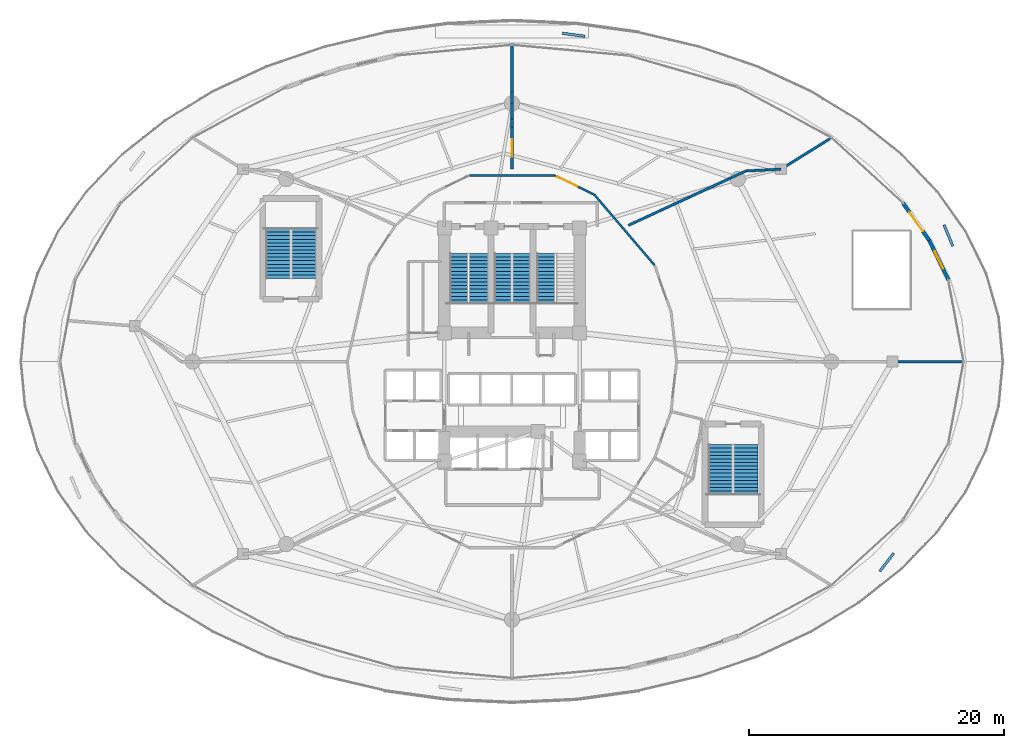
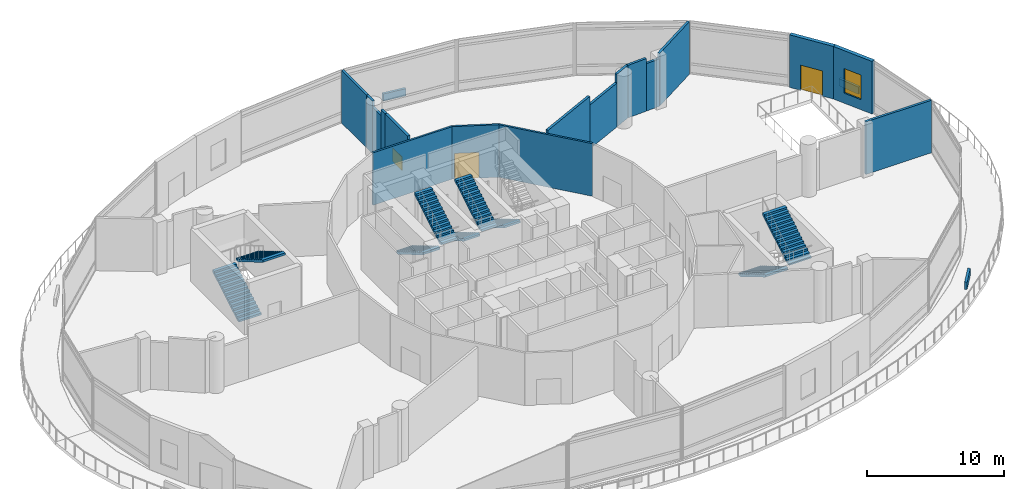
# One storey, part 29 of 36: 20 walls, 9 stair flights, 2 doors, 2 windows, 4 openings, 5 elements without a shape of their own.
"""IFC4 building model written with IfcOpenShell, lengths in metres."""

from ifc_helpers import new_model, si_unit, direction, frame, frame_2d, origin, place, context, subcontext, project, spatial, polyline, rectangle, outline, extrude, material, layer, layer_set, type_object, element, fill, aggregate, save


model = new_model("IFC4")

# Units and contexts
model_context = context("Model", 3, precision=1e-05, world=origin(), true_north=direction((0.0, 1.0)))
body_context = subcontext(model_context, "Body", "Model", "MODEL_VIEW")
ifc_project = project(units=[si_unit("LENGTHUNIT", "METRE"), si_unit("AREAUNIT", "SQUARE_METRE"), si_unit("VOLUMEUNIT", "CUBIC_METRE"), si_unit("PLANEANGLEUNIT", "RADIAN"), si_unit("MASSUNIT", "GRAM", prefix="KILO")], contexts=[model_context])

# Site, building, storey
site_placement = place(None, origin())
site = spatial("IfcSite", under=ifc_project, at=site_placement, CompositionType="ELEMENT")
building_placement = place(site_placement, origin())
building = spatial("IfcBuilding", under=site, at=building_placement, Name="Nuhasar Tower", CompositionType="ELEMENT")
storey_placement = place(building_placement, frame((0.0, 0.0, 11.0)))
storey = spatial("IfcBuildingStorey", under=building, at=storey_placement, Name="L02", CompositionType="ELEMENT", Elevation=11.0)

# Wall, opening, window
ifc_material_1 = material(Name="Concrete C45/55", Category="concrete")
ifc_layer_1 = layer(ifc_material_1, 0.239990234375)
ifc_material_2 = material(Name="Limestone Ashlar", Category="masonry")
ifc_layer_2 = layer(ifc_material_2, 0.06005859375)
ifc_layer_set_1 = layer_set([ifc_layer_1, ifc_layer_2], Name="Concrete C45/55")
wall_type_1 = type_object("IfcWallType", Name="WL-ARC-300", PredefinedType="STANDARD", material=ifc_layer_set_1)
wall_1_placement = place(storey_placement, frame((71.741943359375, 36.305908203125, 0.0), z_axis=(0.0, 0.0, 1.0), x_axis=(0.435837168614, -0.900025534335, 0.0)))
wall_1 = element("IfcWall", 1, at=wall_1_placement, inside=storey, type_object=wall_type_1, Name="L02 Limestone Arcade Spandrel Pier 02-1", PredefinedType="STANDARD", context=body_context, shape_type="SweptSolid", body=[
    extrude(rectangle(XDim=3.418701171875, YDim=0.300048828125, at=frame_2d((1.70947265625, 0.0))), origin(), (0.0, 0.0, 1.0), 4.699951171875),
])
opening_1_placement = place(wall_1_placement, frame((0.958984375, 0.0, 0.89990234375)))
opening_1 = element("IfcOpeningElement", 2, at=opening_1_placement, cuts=wall_1, Name="Opening WX-02", PredefinedType="OPENING", context=body_context, shape_type="SweptSolid", body=[
    extrude(rectangle(XDim=1.5, YDim=2.199951171875, at=frame_2d((0.75, 1.10009765625))), frame((0.0, 0.16015625, 0.0), z_axis=(0.0, -1.0, 0.0), x_axis=(1.0, 0.0, 0.0)), (0.0, 0.0, 1.0), 0.320068359375),
])
ifc_material_3 = material(Name="Glass Double Low-E", Category="glass")
window_type_1 = type_object("IfcWindowType", Name="WIN-ARC-1500", PartitioningType="DOUBLE_PANEL_VERTICAL", PredefinedType="WINDOW", material=ifc_material_3)
window_1_placement = place(opening_1_placement, origin())
window_1 = element("IfcWindow", 3, at=window_1_placement, inside=storey, type_object=window_type_1, Name="L02 Arcade Vision Window 02", OverallHeight=2.199951171875, OverallWidth=1.5, PartitioningType="DOUBLE_PANEL_VERTICAL", PredefinedType="WINDOW", context=body_context, shape_type="SweptSolid", body=[
    extrude(rectangle(XDim=1.5, YDim=2.199951171875, at=frame_2d((0.75, 1.10009765625))), frame((0.0, 0.030029296875, 0.0), z_axis=(0.0, -1.0, 0.0), x_axis=(1.0, 0.0, 0.0)), (0.0, 0.0, 1.0), 0.06005859375),
])
fill(opening_1, window_1)

# Wall, opening, door
wall_2_placement = place(storey_placement, frame((69.69189453125, 39.219970703125, 0.0), z_axis=(0.0, 0.0, 1.0), x_axis=(0.575383073495, -0.817884049689, 0.0)))
wall_2 = element("IfcWall", 4, at=wall_2_placement, inside=storey, type_object=wall_type_1, Name="L02 Limestone Arcade Spandrel Pier 02-2", PredefinedType="STANDARD", context=body_context, shape_type="SweptSolid", body=[
    extrude(rectangle(XDim=3.56298828125, YDim=0.300048828125, at=frame_2d((1.781494140625, 0.0))), origin(), (0.0, 0.0, 1.0), 4.699951171875),
])
opening_2_placement = place(wall_2_placement, frame((0.881103515625, 0.0, 0.0)))
opening_2 = element("IfcOpeningElement", 5, at=opening_2_placement, cuts=wall_2, Name="Opening DX-02", PredefinedType="OPENING", context=body_context, shape_type="SweptSolid", body=[
    extrude(rectangle(XDim=1.800048828125, YDim=2.25, at=frame_2d((0.89990234375, 1.125))), frame((0.0, 0.16015625, 0.0), z_axis=(0.0, -1.0, 0.0), x_axis=(1.0, 0.0, 0.0)), (0.0, 0.0, 1.0), 0.320068359375),
])
ifc_material_4 = material(Name="Aluminium 6063-T6", Category="aluminium")
door_type_1 = type_object("IfcDoorType", Name="DR-TERR-1800", OperationType="DOUBLE_DOOR_SINGLE_SWING", PredefinedType="DOOR", material=ifc_material_4)
door_1_placement = place(opening_2_placement, origin())
door_1 = element("IfcDoor", 6, at=door_1_placement, inside=storey, type_object=door_type_1, Name="L02 Bustan Terrace Door 02", OperationType="DOUBLE_DOOR_SINGLE_SWING", OverallHeight=2.25, OverallWidth=1.800048828125, PredefinedType="DOOR", context=body_context, shape_type="SweptSolid", body=[
    extrude(rectangle(XDim=1.800048828125, YDim=2.25, at=frame_2d((0.89990234375, 1.125))), frame((0.0, 0.02490234375, 0.0), z_axis=(0.0, -1.0, 0.0), x_axis=(1.0, 0.0, 0.0)), (0.0, 0.0, 1.0), 0.050048828125),
])
fill(opening_2, door_1)

# Wall
ifc_material_5 = material(Name="Gypsum Board", Category="gypsum")
ifc_layer_3 = layer(ifc_material_5, 0.159912109375)
ifc_layer_set_2 = layer_set([ifc_layer_3], Name="Gypsum Board")
wall_type_2 = type_object("IfcWallType", Name="WL-CORR-160", PredefinedType="PARTITIONING", material=ifc_layer_set_2)
wall_3_placement = place(storey_placement, frame((50.18896484375, 34.360107421875, 0.0), z_axis=(0.0, 0.0, 1.0), x_axis=(-0.649652680018, 0.760231145998, 0.0)))
element("IfcWall", 7, at=wall_3_placement, inside=storey, type_object=wall_type_2, Name="L02 Interior Partition CORR-04", PredefinedType="PARTITIONING", context=body_context, shape_type="SweptSolid", body=[
    extrude(rectangle(XDim=7.279296875, YDim=0.159912109375, at=frame_2d((3.6396484375, 0.0))), origin(), (0.0, 0.0, 1.0), 4.699951171875),
])

# Wall, opening, door
wall_4_placement = place(storey_placement, frame((42.343994140625, 41.405029296875, 0.0), z_axis=(0.0, 0.0, 1.0), x_axis=(0.899789784655, -0.436323668199, 0.0)))
wall_4 = element("IfcWall", 8, at=wall_4_placement, inside=storey, type_object=wall_type_2, Name="L02 Interior Partition CORR-08", PredefinedType="PARTITIONING", context=body_context, shape_type="SweptSolid", body=[
    extrude(rectangle(XDim=3.462890625, YDim=0.159912109375, at=frame_2d((1.7314453125, 0.0))), origin(), (0.0, 0.0, 1.0), 4.699951171875),
])
opening_3_placement = place(wall_4_placement, frame((0.199951171875, 0.0, 0.0)))
opening_3 = element("IfcOpeningElement", 9, at=opening_3_placement, cuts=wall_4, Name="Opening DB-02", PredefinedType="OPENING", context=body_context, shape_type="SweptSolid", body=[
    extrude(rectangle(XDim=1.800048828125, YDim=2.300048828125, at=frame_2d((0.89990234375, 1.14990234375))), frame((0.0, 0.08984375, 0.0), z_axis=(0.0, -1.0, 0.0), x_axis=(1.0, 0.0, 0.0)), (0.0, 0.0, 1.0), 0.179931640625),
])
door_type_2 = type_object("IfcDoorType", Name="DR-BALL-FD60-1800", OperationType="DOUBLE_DOOR_SINGLE_SWING", PredefinedType="DOOR", material=ifc_material_4)
door_2_placement = place(opening_3_placement, origin())
door_2 = element("IfcDoor", 10, at=door_2_placement, inside=storey, type_object=door_type_2, Name="L02 Majlis Conference Suite Door", OperationType="DOUBLE_DOOR_SINGLE_SWING", OverallHeight=2.300048828125, OverallWidth=1.800048828125, PredefinedType="DOOR", context=body_context, shape_type="SweptSolid", body=[
    extrude(rectangle(XDim=1.800048828125, YDim=2.300048828125, at=frame_2d((0.89990234375, 1.14990234375))), frame((0.0, 0.02490234375, 0.0), z_axis=(0.0, -1.0, 0.0), x_axis=(1.0, 0.0, 0.0)), (0.0, 0.0, 1.0), 0.050048828125),
])
fill(opening_3, door_2)

# Wall
wall_5_placement = place(storey_placement, frame((42.343994140625, 41.405029296875, 0.0), z_axis=(0.0, 0.0, 1.0), x_axis=(-1.0, 0.0, 0.0)))
element("IfcWall", 11, at=wall_5_placement, inside=storey, type_object=wall_type_2, Name="L02 Interior Partition CORR-10", PredefinedType="PARTITIONING", context=body_context, shape_type="SweptSolid", body=[
    extrude(rectangle(XDim=6.68798828125, YDim=0.159912109375, at=frame_2d((3.343994140625, 0.0))), origin(), (0.0, 0.0, 1.0), 4.699951171875),
])

# Wall, opening, window
ifc_layer_4 = layer(ifc_material_1, 0.199951171875)
ifc_layer_set_3 = layer_set([ifc_layer_4], Name="Concrete C45/55")
wall_type_3 = type_object("IfcWallType", Name="WL-LOBBY-200", PredefinedType="SOLIDWALL", material=ifc_layer_set_3)
wall_6_placement = place(storey_placement, frame((39.0, 41.919921875, 0.0), z_axis=(0.0, 0.0, 1.0), x_axis=(0.0, 1.0, 0.0)))
wall_6 = element("IfcWall", 12, at=wall_6_placement, inside=storey, type_object=wall_type_3, Name="L02 Interior Partition PWIN-12", PredefinedType="SOLIDWALL", context=body_context, shape_type="SweptSolid", body=[
    extrude(rectangle(XDim=3.280029296875, YDim=0.199951171875, at=frame_2d((1.64013671875, 0.0))), origin(), (0.0, 0.0, 1.0), 4.699951171875),
])
opening_4_placement = place(wall_6_placement, frame((0.93994140625, 0.0, 1.0)))
opening_4 = element("IfcOpeningElement", 13, at=opening_4_placement, cuts=wall_6, Name="Opening WI-01", PredefinedType="OPENING", context=body_context, shape_type="SweptSolid", body=[
    extrude(rectangle(XDim=1.39990234375, YDim=1.199951171875, at=frame_2d((0.699951171875, 0.60009765625))), frame((0.0, 0.10986328125, 0.0), z_axis=(0.0, -1.0, 0.0), x_axis=(1.0, 0.0, 0.0)), (0.0, 0.0, 1.0), 0.219970703125),
])
ifc_material_6 = material(Name="Glass Laminated Acoustic", Category="glass")
window_type_2 = type_object("IfcWindowType", Name="WIN-INT-1400", PartitioningType="SINGLE_PANEL", PredefinedType="WINDOW", material=ifc_material_6)
window_2_placement = place(opening_4_placement, origin())
window_2 = element("IfcWindow", 14, at=window_2_placement, inside=storey, type_object=window_type_2, Name="L02 Interior Borrowed-Light Window PWIN-12", OverallHeight=1.199951171875, OverallWidth=1.39990234375, PartitioningType="SINGLE_PANEL", PredefinedType="WINDOW", context=body_context, shape_type="SweptSolid", body=[
    extrude(rectangle(XDim=1.39990234375, YDim=1.199951171875, at=frame_2d((0.699951171875, 0.60009765625))), frame((0.0, 0.030029296875, 0.0), z_axis=(0.0, -1.0, 0.0), x_axis=(1.0, 0.0, 0.0)), (0.0, 0.0, 1.0), 0.06005859375),
])
fill(opening_4, window_2)

# Walls
wall_7_placement = place(storey_placement, frame((39.0, 45.199951171875, 0.0), z_axis=(0.0, 0.0, 1.0), x_axis=(0.0, 1.0, 0.0)))
element("IfcWall", 15, at=wall_7_placement, inside=storey, type_object=wall_type_3, Name="L02 Interior Partition PRAD-12-S1", PredefinedType="SOLIDWALL", context=body_context, shape_type="SweptSolid", body=[
    extrude(rectangle(XDim=0.633056640625, YDim=0.199951171875, at=frame_2d((0.31640625, 0.0))), origin(), (0.0, 0.0, 1.0), 4.699951171875),
])
wall_8_placement = place(storey_placement, frame((39.0, 45.8330078125, 0.0), z_axis=(0.0, 0.0, 1.0), x_axis=(0.0, 1.0, 0.0)))
element("IfcWall", 16, at=wall_8_placement, inside=storey, type_object=wall_type_3, Name="L02 Interior Partition PRAD-12-S1", PredefinedType="SOLIDWALL", context=body_context, shape_type="SweptSolid", body=[
    extrude(rectangle(XDim=1.23388671875, YDim=0.199951171875, at=frame_2d((0.616943359375, 0.0))), origin(), (0.0, 0.0, 1.0), 4.1650390625),
])
wall_9_placement = place(storey_placement, frame((39.0, 47.06689453125, 0.0), z_axis=(0.0, 0.0, 1.0), x_axis=(0.0, 1.0, 0.0)))
element("IfcWall", 17, at=wall_9_placement, inside=storey, type_object=wall_type_3, Name="L02 Interior Partition PRAD-12-S1", PredefinedType="SOLIDWALL", context=body_context, shape_type="SweptSolid", body=[
    extrude(rectangle(XDim=0.883056640625, YDim=0.199951171875, at=frame_2d((0.44140625, 0.0))), origin(), (0.0, 0.0, 1.0), 4.699951171875),
])
wall_10_placement = place(storey_placement, frame((39.0, 47.949951171875, 0.0), z_axis=(0.0, 0.0, 1.0), x_axis=(0.0, 1.0, 0.0)))
element("IfcWall", 18, at=wall_10_placement, inside=storey, type_object=wall_type_3, Name="L02 Interior Partition PRAD-12-S2", PredefinedType="SOLIDWALL", context=body_context, shape_type="SweptSolid", body=[
    extrude(rectangle(XDim=3.655029296875, YDim=0.199951171875, at=frame_2d((1.82763671875, 0.0))), origin(), (0.0, 0.0, 1.0), 4.699951171875),
])
ifc_layer_5 = layer(ifc_material_1, 0.199951171875)
ifc_layer_set_4 = layer_set([ifc_layer_5], Name="Concrete C45/55")
wall_type_4 = type_object("IfcWallType", Name="WL-PLANTER-200", PredefinedType="ELEMENTEDWALL", material=ifc_layer_set_4)
wall_11_placement = place(storey_placement, frame((72.89501953125, 37.528076171875, 0.0), z_axis=(0.0, 0.0, 1.0), x_axis=(0.382263927846, -0.924053185411, 0.0)))
element("IfcWall", 19, at=wall_11_placement, inside=storey, type_object=wall_type_4, Name="L02 Bustan Garden Planter Curb 01", PredefinedType="ELEMENTEDWALL", context=body_context, shape_type="SweptSolid", body=[
    extrude(rectangle(XDim=1.7998046875, YDim=0.199951171875, at=frame_2d((0.89990234375, 0.0))), origin(), (0.0, 0.0, 1.0), 0.64990234375),
])
wall_12_placement = place(storey_placement, frame((42.945068359375, 52.555908203125, 0.0), z_axis=(0.0, 0.0, 1.0), x_axis=(0.99145383396, -0.130458020554, 0.0)))
element("IfcWall", 20, at=wall_12_placement, inside=storey, type_object=wall_type_4, Name="L02 Bustan Garden Planter Curb 02", PredefinedType="ELEMENTEDWALL", context=body_context, shape_type="SweptSolid", body=[
    extrude(rectangle(XDim=1.80029296875, YDim=0.199951171875, at=frame_2d((0.900146484375, 0.0))), origin(), (0.0, 0.0, 1.0), 0.64990234375),
])
wall_13_placement = place(storey_placement, frame((68.949951171875, 11.77099609375, 0.0), z_axis=(0.0, 0.0, 1.0), x_axis=(-0.608838635348, -0.793294091814, 0.0)))
element("IfcWall", 21, at=wall_13_placement, inside=storey, type_object=wall_type_4, Name="L02 Bustan Garden Planter Curb 06", PredefinedType="ELEMENTEDWALL", context=body_context, shape_type="SweptSolid", body=[
    extrude(rectangle(XDim=1.800048828125, YDim=0.199951171875, at=frame_2d((0.89990234375, 0.0))), origin(), (0.0, 0.0, 1.0), 0.64990234375),
])
ifc_material_7 = material(Name="Concrete C40/50 precast", Category="concrete")
ifc_layer_6 = layer(ifc_material_7, 0.199951171875)
ifc_layer_set_5 = layer_set([ifc_layer_6], Name="Concrete C40/50 precast")
wall_type_5 = type_object("IfcWallType", Name="WL-UNIT-200", PredefinedType="PARTITIONING", material=ifc_layer_set_5)
wall_14_placement = place(storey_placement, frame((68.85009765625, 26.800048828125, 0.0), z_axis=(0.0, 0.0, 1.0), x_axis=(1.0, 0.0, 0.0)))
element("IfcWall", 22, at=wall_14_placement, inside=storey, type_object=wall_type_5, Name="L02 Interior Partition PRAD-00-S4", PredefinedType="PARTITIONING", context=body_context, shape_type="SweptSolid", body=[
    extrude(rectangle(XDim=5.554931640625, YDim=0.199951171875, at=frame_2d((2.77734375, 0.0))), origin(), (0.0, 0.0, 1.0), 4.699951171875),
])
wall_15_placement = place(storey_placement, frame((48.135986328125, 37.490966796875, 0.0), z_axis=(0.0, 0.0, 1.0), x_axis=(0.907524785669, 0.419998527851, 0.0)))
element("IfcWall", 23, at=wall_15_placement, inside=storey, type_object=wall_type_5, Name="L02 Interior Partition PRAD-06-S1", PredefinedType="PARTITIONING", context=body_context, shape_type="SweptSolid", body=[
    extrude(rectangle(XDim=5.30029296875, YDim=0.199951171875, at=frame_2d((2.650146484375, 0.0))), origin(), (0.0, 0.0, 1.0), 4.699951171875),
])
wall_16_placement = place(storey_placement, frame((52.946044921875, 39.717041015625, 0.0), z_axis=(0.0, 0.0, 1.0), x_axis=(0.90747190463, 0.420112773321, 0.0)))
element("IfcWall", 24, at=wall_16_placement, inside=storey, type_object=wall_type_5, Name="L02 Interior Partition PRAD-06-S1", PredefinedType="PARTITIONING", context=body_context, shape_type="SweptSolid", body=[
    extrude(rectangle(XDim=3.448974609375, YDim=0.199951171875, at=frame_2d((1.724609375, 0.0))), origin(), (0.0, 0.0, 1.0), 3.919921875),
])
wall_17_placement = place(storey_placement, frame((56.075927734375, 41.166015625, 0.0), z_axis=(0.0, 0.0, 1.0), x_axis=(0.907622896373, 0.419786467124, 0.0)))
element("IfcWall", 25, at=wall_17_placement, inside=storey, type_object=wall_type_5, Name="L02 Interior Partition PRAD-06-S1", PredefinedType="PARTITIONING", context=body_context, shape_type="SweptSolid", body=[
    extrude(rectangle(XDim=1.40283203125, YDim=0.199951171875, at=frame_2d((0.701416015625, 0.0))), origin(), (0.0, 0.0, 1.0), 4.699951171875),
])
wall_18_placement = place(storey_placement, frame((57.34912109375, 41.7548828125, 0.0), z_axis=(0.0, 0.0, 1.0), x_axis=(0.998685128887, 0.051264152576, 0.0)))
element("IfcWall", 26, at=wall_18_placement, inside=storey, type_object=wall_type_5, Name="L02 Interior Partition PRAD-06-S2", PredefinedType="PARTITIONING", context=body_context, shape_type="SweptSolid", body=[
    extrude(rectangle(XDim=1.64306640625, YDim=0.199951171875, at=frame_2d((0.821533203125, 0.0))), origin(), (0.0, 0.0, 1.0), 4.699951171875),
])
wall_19_placement = place(storey_placement, frame((58.989990234375, 41.839111328125, 0.0), z_axis=(0.0, 0.0, 1.0), x_axis=(0.998660904733, 0.051733909163, 0.0)))
element("IfcWall", 27, at=wall_19_placement, inside=storey, type_object=wall_type_5, Name="L02 Interior Partition PRAD-06-S2", PredefinedType="PARTITIONING", context=body_context, shape_type="SweptSolid", body=[
    extrude(rectangle(XDim=1.118408203125, YDim=0.199951171875, at=frame_2d((0.55908203125, 0.0))), origin(), (0.0, 0.0, 1.0), 4.239990234375),
])
wall_20_placement = place(storey_placement, frame((60.10693359375, 41.89697265625, 0.0), z_axis=(0.0, 0.0, 1.0), x_axis=(0.849149708827, 0.528152224267, 0.0)))
element("IfcWall", 28, at=wall_20_placement, inside=storey, type_object=wall_type_5, Name="L02 Interior Partition PRAD-06-S3", PredefinedType="PARTITIONING", context=body_context, shape_type="SweptSolid", body=[
    extrude(rectangle(XDim=4.625732421875, YDim=0.199951171875, at=frame_2d((2.31298828125, 0.0))), origin(), (0.0, 0.0, 1.0), 4.699951171875),
])

# Stair, stair flights
stair_type_1 = type_object("IfcStairType", Name="STR-ST-01-2F-30R-1667", PredefinedType="HALF_TURN_STAIR", material=ifc_material_1)
stair_1_placement = place(storey_placement, origin())
stair_1 = element("IfcStair", 29, at=stair_1_placement, inside=storey, type_object=stair_type_1, Name="L02 Exit Stair ST-01", PredefinedType="HALF_TURN_STAIR")
stair_flight_type_1 = type_object("IfcStairFlightType", Name="SFL-ST-01-15R-1667", PredefinedType="STRAIGHT", material=ifc_material_1)
stair_flight_1_placement = place(storey_placement, frame((34.830078125, 35.284912109375, 0.0), z_axis=(0.0, 0.0, 1.0), x_axis=(0.0, -1.0, 0.0)))
stair_flight_1 = element("IfcStairFlight", 30, at=stair_flight_1_placement, type_object=stair_flight_type_1, Name="ST-01 flight 1", NumberOfRisers=15, NumberOfTreads=14, PredefinedType="STRAIGHT", RiserHeight=0.166667, TreadLength=0.28, context=body_context, shape_type="SweptSolid", body=[
    extrude(outline(polyline([(0.0, 0.0), (0.0, 0.166748046875), (0.280029296875, 0.166748046875), (0.280029296875, 0.333251953125), (0.56005859375, 0.333251953125), (0.56005859375, 0.5), (0.840087890625, 0.5), (0.840087890625, 0.666748046875), (1.1201171875, 0.666748046875), (1.1201171875, 0.833251953125), (1.39990234375, 0.833251953125), (1.39990234375, 1.0), (1.679931640625, 1.0), (1.679931640625, 1.166748046875), (1.9599609375, 1.166748046875), (1.9599609375, 1.333251953125), (2.239990234375, 1.333251953125), (2.239990234375, 1.5), (2.52001953125, 1.5), (2.52001953125, 1.666748046875), (2.800048828125, 1.666748046875), (2.800048828125, 1.833251953125), (3.080078125, 1.833251953125), (3.080078125, 2.0), (3.360107421875, 2.0), (3.360107421875, 2.166748046875), (3.639892578125, 2.166748046875), (3.639892578125, 2.333251953125), (3.919921875, 2.333251953125), (3.919921875, 2.5), (3.919921875, 2.147216796875), (0.312744140625, 0.0), (0.0, 0.0)])), frame((0.0, 0.7099609375, 0.0), z_axis=(0.0, -1.0, 0.0), x_axis=(1.0, 0.0, 0.0)), (0.0, 0.0, 1.0), 1.419921875),
])
stair_flight_2_placement = place(storey_placement, frame((36.35009765625, 31.364990234375, 2.5), z_axis=(0.0, 0.0, 1.0), x_axis=(0.0, 1.0, 0.0)))
stair_flight_2 = element("IfcStairFlight", 31, at=stair_flight_2_placement, type_object=stair_flight_type_1, Name="ST-01 flight 2", NumberOfRisers=15, NumberOfTreads=14, PredefinedType="STRAIGHT", RiserHeight=0.166667, TreadLength=0.28, context=body_context, shape_type="SweptSolid", body=[
    extrude(outline(polyline([(0.0, 0.0), (0.0, 0.166748046875), (0.280029296875, 0.166748046875), (0.280029296875, 0.333251953125), (0.56005859375, 0.333251953125), (0.56005859375, 0.5), (0.840087890625, 0.5), (0.840087890625, 0.666748046875), (1.1201171875, 0.666748046875), (1.1201171875, 0.833251953125), (1.39990234375, 0.833251953125), (1.39990234375, 1.0), (1.679931640625, 1.0), (1.679931640625, 1.166748046875), (1.9599609375, 1.166748046875), (1.9599609375, 1.333251953125), (2.239990234375, 1.333251953125), (2.239990234375, 1.5), (2.52001953125, 1.5), (2.52001953125, 1.666748046875), (2.800048828125, 1.666748046875), (2.800048828125, 1.833251953125), (3.080078125, 1.833251953125), (3.080078125, 2.0), (3.360107421875, 2.0), (3.360107421875, 2.166748046875), (3.639892578125, 2.166748046875), (3.639892578125, 2.333251953125), (3.919921875, 2.333251953125), (3.919921875, 2.5), (3.919921875, 2.147216796875), (0.312744140625, 0.0), (0.0, 0.0)])), frame((0.0, 0.7099609375, 0.0), z_axis=(0.0, -1.0, 0.0), x_axis=(1.0, 0.0, 0.0)), (0.0, 0.0, 1.0), 1.419921875),
])
aggregate(stair_1, [stair_flight_1, stair_flight_2])

# Stair, stair flight
stair_type_2 = type_object("IfcStairType", Name="STR-ST-02-2F-30R-1667", PredefinedType="HALF_TURN_STAIR", material=ifc_material_1)
stair_2_placement = place(storey_placement, origin())
stair_2 = element("IfcStair", 32, at=stair_2_placement, inside=storey, type_object=stair_type_2, Name="L02 Exit Stair ST-02", PredefinedType="HALF_TURN_STAIR")
stair_flight_type_2 = type_object("IfcStairFlightType", Name="SFL-ST-02-15R-1667", PredefinedType="STRAIGHT", material=ifc_material_1)
stair_flight_3_placement = place(storey_placement, frame((41.64990234375, 35.284912109375, 0.0), z_axis=(0.0, 0.0, 1.0), x_axis=(0.0, -1.0, 0.0)))
stair_flight_3 = element("IfcStairFlight", 33, at=stair_flight_3_placement, type_object=stair_flight_type_2, Name="ST-02 flight 1", NumberOfRisers=15, NumberOfTreads=14, PredefinedType="STRAIGHT", RiserHeight=0.166667, TreadLength=0.28, context=body_context, shape_type="SweptSolid", body=[
    extrude(outline(polyline([(0.0, 0.0), (0.0, 0.166748046875), (0.280029296875, 0.166748046875), (0.280029296875, 0.333251953125), (0.56005859375, 0.333251953125), (0.56005859375, 0.5), (0.840087890625, 0.5), (0.840087890625, 0.666748046875), (1.1201171875, 0.666748046875), (1.1201171875, 0.833251953125), (1.39990234375, 0.833251953125), (1.39990234375, 1.0), (1.679931640625, 1.0), (1.679931640625, 1.166748046875), (1.9599609375, 1.166748046875), (1.9599609375, 1.333251953125), (2.239990234375, 1.333251953125), (2.239990234375, 1.5), (2.52001953125, 1.5), (2.52001953125, 1.666748046875), (2.800048828125, 1.666748046875), (2.800048828125, 1.833251953125), (3.080078125, 1.833251953125), (3.080078125, 2.0), (3.360107421875, 2.0), (3.360107421875, 2.166748046875), (3.639892578125, 2.166748046875), (3.639892578125, 2.333251953125), (3.919921875, 2.333251953125), (3.919921875, 2.5), (3.919921875, 2.147216796875), (0.312744140625, 0.0), (0.0, 0.0)])), frame((0.0, 0.7099609375, 0.0), z_axis=(0.0, -1.0, 0.0), x_axis=(1.0, 0.0, 0.0)), (0.0, 0.0, 1.0), 1.419921875),
])
aggregate(stair_2, [stair_flight_3])

# Stair, stair flights
stair_type_3 = type_object("IfcStairType", Name="STR-ST-03-2F-30R-1667", PredefinedType="HALF_TURN_STAIR", material=ifc_material_1)
stair_3_placement = place(storey_placement, origin())
stair_3 = element("IfcStair", 34, at=stair_3_placement, inside=storey, type_object=stair_type_3, Name="L02 Exit Stair ST-03", PredefinedType="HALF_TURN_STAIR")
stair_flight_type_3 = type_object("IfcStairFlightType", Name="SFL-ST-03-15R-1667", PredefinedType="STRAIGHT", material=ifc_material_1)
stair_flight_4_placement = place(storey_placement, frame((38.280029296875, 35.284912109375, 0.0), z_axis=(0.0, 0.0, 1.0), x_axis=(0.0, -1.0, 0.0)))
stair_flight_4 = element("IfcStairFlight", 35, at=stair_flight_4_placement, type_object=stair_flight_type_3, Name="ST-03 flight 1", NumberOfRisers=15, NumberOfTreads=14, PredefinedType="STRAIGHT", RiserHeight=0.166667, TreadLength=0.28, context=body_context, shape_type="SweptSolid", body=[
    extrude(outline(polyline([(0.0, 0.0), (0.0, 0.166748046875), (0.280029296875, 0.166748046875), (0.280029296875, 0.333251953125), (0.56005859375, 0.333251953125), (0.56005859375, 0.5), (0.840087890625, 0.5), (0.840087890625, 0.666748046875), (1.1201171875, 0.666748046875), (1.1201171875, 0.833251953125), (1.39990234375, 0.833251953125), (1.39990234375, 1.0), (1.679931640625, 1.0), (1.679931640625, 1.166748046875), (1.9599609375, 1.166748046875), (1.9599609375, 1.333251953125), (2.239990234375, 1.333251953125), (2.239990234375, 1.5), (2.52001953125, 1.5), (2.52001953125, 1.666748046875), (2.800048828125, 1.666748046875), (2.800048828125, 1.833251953125), (3.080078125, 1.833251953125), (3.080078125, 2.0), (3.360107421875, 2.0), (3.360107421875, 2.166748046875), (3.639892578125, 2.166748046875), (3.639892578125, 2.333251953125), (3.919921875, 2.333251953125), (3.919921875, 2.5), (3.919921875, 2.147216796875), (0.312744140625, 0.0), (0.0, 0.0)])), frame((0.0, 0.669921875, 0.0), z_axis=(0.0, -1.0, 0.0), x_axis=(1.0, 0.0, 0.0)), (0.0, 0.0, 1.0), 1.340087890625),
])
stair_flight_5_placement = place(storey_placement, frame((39.719970703125, 31.364990234375, 2.5), z_axis=(0.0, 0.0, 1.0), x_axis=(0.0, 1.0, 0.0)))
stair_flight_5 = element("IfcStairFlight", 36, at=stair_flight_5_placement, type_object=stair_flight_type_3, Name="ST-03 flight 2", NumberOfRisers=15, NumberOfTreads=14, PredefinedType="STRAIGHT", RiserHeight=0.166667, TreadLength=0.28, context=body_context, shape_type="SweptSolid", body=[
    extrude(outline(polyline([(0.0, 0.0), (0.0, 0.166748046875), (0.280029296875, 0.166748046875), (0.280029296875, 0.333251953125), (0.56005859375, 0.333251953125), (0.56005859375, 0.5), (0.840087890625, 0.5), (0.840087890625, 0.666748046875), (1.1201171875, 0.666748046875), (1.1201171875, 0.833251953125), (1.39990234375, 0.833251953125), (1.39990234375, 1.0), (1.679931640625, 1.0), (1.679931640625, 1.166748046875), (1.9599609375, 1.166748046875), (1.9599609375, 1.333251953125), (2.239990234375, 1.333251953125), (2.239990234375, 1.5), (2.52001953125, 1.5), (2.52001953125, 1.666748046875), (2.800048828125, 1.666748046875), (2.800048828125, 1.833251953125), (3.080078125, 1.833251953125), (3.080078125, 2.0), (3.360107421875, 2.0), (3.360107421875, 2.166748046875), (3.639892578125, 2.166748046875), (3.639892578125, 2.333251953125), (3.919921875, 2.333251953125), (3.919921875, 2.5), (3.919921875, 2.147216796875), (0.312744140625, 0.0), (0.0, 0.0)])), frame((0.0, 0.669921875, 0.0), z_axis=(0.0, -1.0, 0.0), x_axis=(1.0, 0.0, 0.0)), (0.0, 0.0, 1.0), 1.340087890625),
])
aggregate(stair_3, [stair_flight_4, stair_flight_5])

stair_type_4 = type_object("IfcStairType", Name="STR-ST-04-2F-30R-1667", PredefinedType="HALF_TURN_STAIR", material=ifc_material_1)
stair_4_placement = place(storey_placement, origin())
stair_4 = element("IfcStair", 37, at=stair_4_placement, inside=storey, type_object=stair_type_4, Name="L02 Exit Stair ST-04", PredefinedType="HALF_TURN_STAIR")
stair_flight_type_4 = type_object("IfcStairFlightType", Name="SFL-ST-04-15R-1667", PredefinedType="STRAIGHT", material=ifc_material_1)
stair_flight_6_placement = place(storey_placement, frame((20.64990234375, 33.31494140625, 0.0), z_axis=(0.0, 0.0, 1.0), x_axis=(0.0, 1.0, 0.0)))
stair_flight_6 = element("IfcStairFlight", 38, at=stair_flight_6_placement, type_object=stair_flight_type_4, Name="ST-04 flight 1", NumberOfRisers=15, NumberOfTreads=14, PredefinedType="STRAIGHT", RiserHeight=0.166667, TreadLength=0.28, context=body_context, shape_type="SweptSolid", body=[
    extrude(outline(polyline([(0.0, 0.0), (0.0, 0.166748046875), (0.280029296875, 0.166748046875), (0.280029296875, 0.333251953125), (0.56005859375, 0.333251953125), (0.56005859375, 0.5), (0.840087890625, 0.5), (0.840087890625, 0.666748046875), (1.1201171875, 0.666748046875), (1.1201171875, 0.833251953125), (1.39990234375, 0.833251953125), (1.39990234375, 1.0), (1.679931640625, 1.0), (1.679931640625, 1.166748046875), (1.9599609375, 1.166748046875), (1.9599609375, 1.333251953125), (2.239990234375, 1.333251953125), (2.239990234375, 1.5), (2.52001953125, 1.5), (2.52001953125, 1.666748046875), (2.800048828125, 1.666748046875), (2.800048828125, 1.833251953125), (3.080078125, 1.833251953125), (3.080078125, 2.0), (3.360107421875, 2.0), (3.360107421875, 2.166748046875), (3.639892578125, 2.166748046875), (3.639892578125, 2.333251953125), (3.919921875, 2.333251953125), (3.919921875, 2.5), (3.919921875, 2.147216796875), (0.312744140625, 0.0), (0.0, 0.0)])), frame((0.0, 0.949951171875, 0.0), z_axis=(0.0, -1.0, 0.0), x_axis=(1.0, 0.0, 0.0)), (0.0, 0.0, 1.0), 1.89990234375),
])
stair_flight_7_placement = place(storey_placement, frame((22.64990234375, 37.235107421875, 2.5), z_axis=(0.0, 0.0, 1.0), x_axis=(0.0, -1.0, 0.0)))
stair_flight_7 = element("IfcStairFlight", 39, at=stair_flight_7_placement, type_object=stair_flight_type_4, Name="ST-04 flight 2", NumberOfRisers=15, NumberOfTreads=14, PredefinedType="STRAIGHT", RiserHeight=0.166667, TreadLength=0.28, context=body_context, shape_type="SweptSolid", body=[
    extrude(outline(polyline([(0.0, 0.0), (0.0, 0.166748046875), (0.280029296875, 0.166748046875), (0.280029296875, 0.333251953125), (0.56005859375, 0.333251953125), (0.56005859375, 0.5), (0.840087890625, 0.5), (0.840087890625, 0.666748046875), (1.1201171875, 0.666748046875), (1.1201171875, 0.833251953125), (1.39990234375, 0.833251953125), (1.39990234375, 1.0), (1.679931640625, 1.0), (1.679931640625, 1.166748046875), (1.9599609375, 1.166748046875), (1.9599609375, 1.333251953125), (2.239990234375, 1.333251953125), (2.239990234375, 1.5), (2.52001953125, 1.5), (2.52001953125, 1.666748046875), (2.800048828125, 1.666748046875), (2.800048828125, 1.833251953125), (3.080078125, 1.833251953125), (3.080078125, 2.0), (3.360107421875, 2.0), (3.360107421875, 2.166748046875), (3.639892578125, 2.166748046875), (3.639892578125, 2.333251953125), (3.919921875, 2.333251953125), (3.919921875, 2.5), (3.919921875, 2.147216796875), (0.312744140625, 0.0), (0.0, 0.0)])), frame((0.0, 0.949951171875, 0.0), z_axis=(0.0, -1.0, 0.0), x_axis=(1.0, 0.0, 0.0)), (0.0, 0.0, 1.0), 1.89990234375),
])
aggregate(stair_4, [stair_flight_6, stair_flight_7])

stair_type_5 = type_object("IfcStairType", Name="STR-ST-05-2F-30R-1667", PredefinedType="HALF_TURN_STAIR", material=ifc_material_1)
stair_5_placement = place(storey_placement, origin())
stair_5 = element("IfcStair", 40, at=stair_5_placement, inside=storey, type_object=stair_type_5, Name="L02 Exit Stair ST-05", PredefinedType="HALF_TURN_STAIR")
stair_flight_type_5 = type_object("IfcStairFlightType", Name="SFL-ST-05-15R-1667", PredefinedType="STRAIGHT", material=ifc_material_1)
stair_flight_8_placement = place(storey_placement, frame((55.35009765625, 20.284912109375, 0.0), z_axis=(0.0, 0.0, 1.0), x_axis=(0.0, -1.0, 0.0)))
stair_flight_8 = element("IfcStairFlight", 41, at=stair_flight_8_placement, type_object=stair_flight_type_5, Name="ST-05 flight 1", NumberOfRisers=15, NumberOfTreads=14, PredefinedType="STRAIGHT", RiserHeight=0.166667, TreadLength=0.28, context=body_context, shape_type="SweptSolid", body=[
    extrude(outline(polyline([(0.0, 0.0), (0.0, 0.166748046875), (0.280029296875, 0.166748046875), (0.280029296875, 0.333251953125), (0.56005859375, 0.333251953125), (0.56005859375, 0.5), (0.840087890625, 0.5), (0.840087890625, 0.666748046875), (1.1201171875, 0.666748046875), (1.1201171875, 0.833251953125), (1.39990234375, 0.833251953125), (1.39990234375, 1.0), (1.679931640625, 1.0), (1.679931640625, 1.166748046875), (1.9599609375, 1.166748046875), (1.9599609375, 1.333251953125), (2.239990234375, 1.333251953125), (2.239990234375, 1.5), (2.52001953125, 1.5), (2.52001953125, 1.666748046875), (2.800048828125, 1.666748046875), (2.800048828125, 1.833251953125), (3.080078125, 1.833251953125), (3.080078125, 2.0), (3.360107421875, 2.0), (3.360107421875, 2.166748046875), (3.639892578125, 2.166748046875), (3.639892578125, 2.333251953125), (3.919921875, 2.333251953125), (3.919921875, 2.5), (3.919921875, 2.147216796875), (0.312744140625, 0.0), (0.0, 0.0)])), frame((0.0, 0.949951171875, 0.0), z_axis=(0.0, -1.0, 0.0), x_axis=(1.0, 0.0, 0.0)), (0.0, 0.0, 1.0), 1.89990234375),
])
stair_flight_9_placement = place(storey_placement, frame((57.35009765625, 16.364990234375, 2.5), z_axis=(0.0, 0.0, 1.0), x_axis=(0.0, 1.0, 0.0)))
stair_flight_9 = element("IfcStairFlight", 42, at=stair_flight_9_placement, type_object=stair_flight_type_5, Name="ST-05 flight 2", NumberOfRisers=15, NumberOfTreads=14, PredefinedType="STRAIGHT", RiserHeight=0.166667, TreadLength=0.28, context=body_context, shape_type="SweptSolid", body=[
    extrude(outline(polyline([(0.0, 0.0), (0.0, 0.166748046875), (0.280029296875, 0.166748046875), (0.280029296875, 0.333251953125), (0.56005859375, 0.333251953125), (0.56005859375, 0.5), (0.840087890625, 0.5), (0.840087890625, 0.666748046875), (1.1201171875, 0.666748046875), (1.1201171875, 0.833251953125), (1.39990234375, 0.833251953125), (1.39990234375, 1.0), (1.679931640625, 1.0), (1.679931640625, 1.166748046875), (1.9599609375, 1.166748046875), (1.9599609375, 1.333251953125), (2.239990234375, 1.333251953125), (2.239990234375, 1.5), (2.52001953125, 1.5), (2.52001953125, 1.666748046875), (2.800048828125, 1.666748046875), (2.800048828125, 1.833251953125), (3.080078125, 1.833251953125), (3.080078125, 2.0), (3.360107421875, 2.0), (3.360107421875, 2.166748046875), (3.639892578125, 2.166748046875), (3.639892578125, 2.333251953125), (3.919921875, 2.333251953125), (3.919921875, 2.5), (3.919921875, 2.147216796875), (0.312744140625, 0.0), (0.0, 0.0)])), frame((0.0, 0.949951171875, 0.0), z_axis=(0.0, -1.0, 0.0), x_axis=(1.0, 0.0, 0.0)), (0.0, 0.0, 1.0), 1.89990234375),
])
aggregate(stair_5, [stair_flight_8, stair_flight_9])

save(model, "model.ifc")
